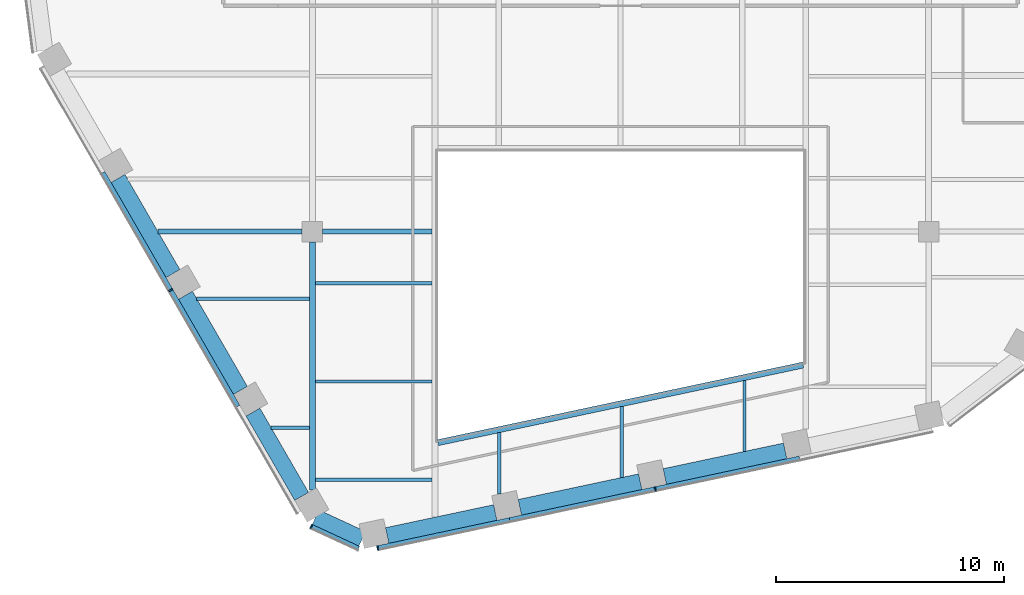
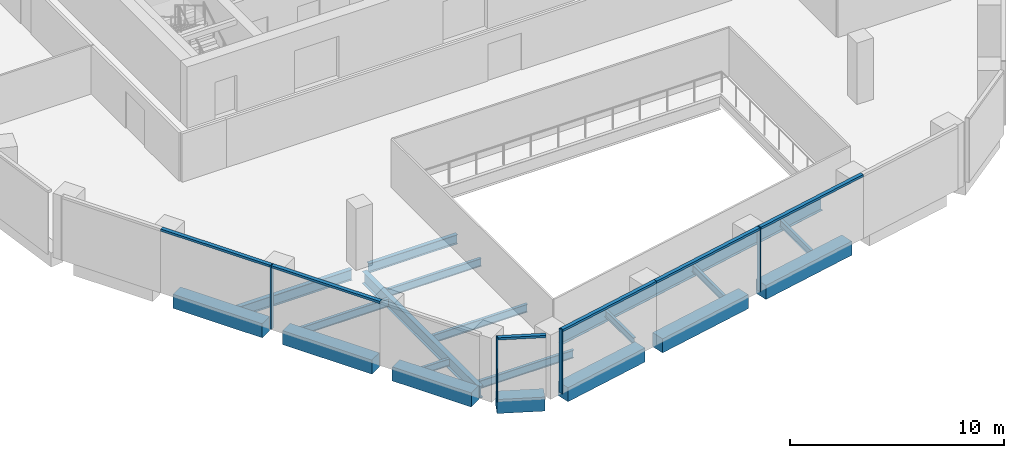
# One storey, part 2 of 15: 19 beams, 10 members, 3 elements without a shape of their own.
"""IFC4 building model written with IfcOpenShell, lengths in metres."""

from ifc_helpers import new_model, si_unit, direction, frame, origin, origin_2d, place, context, subcontext, project, spatial, rectangle, i_section, extrude, material, layer, layer_set, material_profile, profile_set, type_object, element, aggregate, save


model = new_model("IFC4")

# Units and contexts
model_context = context("Model", 3, precision=1e-05, world=origin(), true_north=direction((0.0, 1.0)))
body_context = subcontext(model_context, "Body", "Model", "MODEL_VIEW")
ifc_project = project(units=[si_unit("LENGTHUNIT", "METRE"), si_unit("AREAUNIT", "SQUARE_METRE"), si_unit("VOLUMEUNIT", "CUBIC_METRE"), si_unit("PLANEANGLEUNIT", "RADIAN"), si_unit("MASSUNIT", "GRAM", prefix="KILO")], contexts=[model_context])

# Site, building, storey
site_placement = place(None, origin())
site = spatial("IfcSite", under=ifc_project, at=site_placement, CompositionType="ELEMENT")
building_placement = place(site_placement, origin())
building = spatial("IfcBuilding", under=site, at=building_placement, Name="Isthmus Gate Tower", CompositionType="ELEMENT")
storey_placement = place(building_placement, frame((0.0, 0.0, 241.85009765625)))
storey = spatial("IfcBuildingStorey", under=building, at=storey_placement, Name="L61", CompositionType="ELEMENT", Elevation=241.85009765625)

# Curtain wall, member
ifc_material_1 = material(Name="Aluminium, pale champagne anodised", Category="aluminium")
ifc_layer = layer(ifc_material_1, 0.199951171875)
ifc_layer_set = layer_set([ifc_layer], Name="CW-1 UNITISED CURTAIN WALL 200 DEEP")
curtain_wall_type = type_object("IfcCurtainWallType", Name="CW-1 UNITISED CURTAIN WALL 200 DEEP", PredefinedType="NOTDEFINED", material=ifc_layer_set)
curtain_wall_1_placement = place(storey_placement, origin())
curtain_wall_1 = element("IfcCurtainWall", 1, at=curtain_wall_1_placement, inside=storey, type_object=curtain_wall_type, Name="CW-1 SW L61", PredefinedType="NOTDEFINED")
ifc_material_2 = material(Name="Aluminium, pale champagne anodised", Category="aluminium")
ifc_material_profile_1 = material_profile(ifc_material_2, rectangle(XDim=0.06005859375, YDim=0.199951171875, at=origin_2d()), Name="60x200")
ifc_profile_set_1 = profile_set([ifc_material_profile_1], Name="Aluminium, pale champagne anodised")
member_type_1 = type_object("IfcMemberType", Name="CW-1 MULLION 60 X 200", PredefinedType="MULLION", material=ifc_profile_set_1)
member_1_placement = place(storey_placement, frame((-19.707275390625, -16.066162109375, 0.0), z_axis=(0.0, 0.0, 1.0), x_axis=(0.5, -0.866025403784, 0.0)))
member_1 = element("IfcMember", 2, at=member_1_placement, type_object=member_type_1, Name="CW-1 mullion", PredefinedType="MULLION", context=body_context, shape_type="SweptSolid", body=[
    extrude(rectangle(XDim=0.06005859375, YDim=0.199951171875, at=origin_2d()), origin(), (0.0, 0.0, 1.0), 3.64990234375),
])

curtain_wall_2_placement = place(storey_placement, origin())
curtain_wall_2 = element("IfcCurtainWall", 3, at=curtain_wall_2_placement, inside=storey, type_object=curtain_wall_type, Name="CW-1 SW-S L61", PredefinedType="NOTDEFINED")
member_2_placement = place(storey_placement, frame((-13.54833984375, -26.419677734375, 0.0), z_axis=(0.0, 0.0, 1.0), x_axis=(0.907256261367, -0.420578264073, 0.0)))
member_2 = element("IfcMember", 4, at=member_2_placement, type_object=member_type_1, Name="CW-1 mullion", PredefinedType="MULLION", context=body_context, shape_type="SweptSolid", body=[
    extrude(rectangle(XDim=0.06005859375, YDim=0.199951171875, at=origin_2d()), origin(), (0.0, 0.0, 1.0), 3.64990234375),
])

# Curtain wall, members
curtain_wall_3_placement = place(storey_placement, origin())
curtain_wall_3 = element("IfcCurtainWall", 5, at=curtain_wall_3_placement, inside=storey, type_object=curtain_wall_type, Name="CW-1 S L61", PredefinedType="NOTDEFINED")
member_3_placement = place(storey_placement, frame((-10.6376953125, -27.36328125, 0.0), z_axis=(0.0, 0.0, 1.0), x_axis=(0.978147600734, 0.207911690818, 0.0)))
member_3 = element("IfcMember", 6, at=member_3_placement, type_object=member_type_1, Name="CW-1 mullion", PredefinedType="MULLION", context=body_context, shape_type="SweptSolid", body=[
    extrude(rectangle(XDim=0.06005859375, YDim=0.199951171875, at=origin_2d()), origin(), (0.0, 0.0, 1.0), 3.64990234375),
])
member_4_placement = place(storey_placement, frame((1.5244140625, -24.7783203125, 0.0), z_axis=(0.0, 0.0, 1.0), x_axis=(0.978147600734, 0.207911690818, 0.0)))
member_4 = element("IfcMember", 7, at=member_4_placement, type_object=member_type_1, Name="CW-1 mullion", PredefinedType="MULLION", context=body_context, shape_type="SweptSolid", body=[
    extrude(rectangle(XDim=0.06005859375, YDim=0.199951171875, at=origin_2d()), origin(), (0.0, 0.0, 1.0), 3.64990234375),
])

# Member
ifc_material_3 = material(Name="Aluminium, pale champagne anodised", Category="aluminium")
ifc_material_profile_2 = material_profile(ifc_material_3, rectangle(XDim=0.199951171875, YDim=0.1298828125, at=origin_2d()), Name="200x130")
ifc_profile_set_2 = profile_set([ifc_material_profile_2], Name="Aluminium, pale champagne anodised")
member_type_2 = type_object("IfcMemberType", Name="CW-1 TRANSOM 200 X 130", PredefinedType="USERDEFINED", material=ifc_profile_set_2)
member_5_placement = place(storey_placement, frame((-22.677490234375, -10.92138671875, 3.5849609375), z_axis=(0.500008496284, -0.866020498397, 0.0), x_axis=(0.866020498397, 0.500008496284, 0.0)))
member_5 = element("IfcMember", 8, at=member_5_placement, type_object=member_type_2, Name="CW-1 transom", ObjectType="TRANSOM", PredefinedType="USERDEFINED", context=body_context, shape_type="SweptSolid", body=[
    extrude(rectangle(XDim=0.199951171875, YDim=0.1298828125, at=origin_2d()), origin(), (0.0, 0.0, 1.0), 5.91064453125),
])

member_6_placement = place(storey_placement, frame((-19.692138671875, -16.092041015625, 3.5849609375), z_axis=(0.49998975084, -0.866031321059, 0.0), x_axis=(0.866031321059, 0.49998975084, 0.0)))
member_6 = element("IfcMember", 9, at=member_6_placement, type_object=member_type_2, Name="CW-1 transom", ObjectType="TRANSOM", PredefinedType="USERDEFINED", context=body_context, shape_type="SweptSolid", body=[
    extrude(rectangle(XDim=0.199951171875, YDim=0.1298828125, at=origin_2d()), origin(), (0.0, 0.0, 1.0), 5.8505859375),
])

aggregate(curtain_wall_1, [member_5, member_1, member_6])

member_7_placement = place(storey_placement, frame((-13.521240234375, -26.432373046875, 3.5849609375), z_axis=(0.907246225564, -0.420599912268, 0.0), x_axis=(0.420599912268, 0.907246225564, 0.0)))
member_7 = element("IfcMember", 10, at=member_7_placement, type_object=member_type_2, Name="CW-1 transom", ObjectType="TRANSOM", PredefinedType="USERDEFINED", context=body_context, shape_type="SweptSolid", body=[
    extrude(rectangle(XDim=0.199951171875, YDim=0.1298828125, at=origin_2d()), origin(), (0.0, 0.0, 1.0), 2.258544921875),
])

aggregate(curtain_wall_2, [member_2, member_7])

member_8_placement = place(storey_placement, frame((-10.6083984375, -27.357177734375, 3.5849609375), z_axis=(0.978148511799, 0.207907404549, 0.0), x_axis=(-0.207907404549, 0.978148511799, 0.0)))
member_8 = element("IfcMember", 11, at=member_8_placement, type_object=member_type_2, Name="CW-1 transom", ObjectType="TRANSOM", PredefinedType="USERDEFINED", context=body_context, shape_type="SweptSolid", body=[
    extrude(rectangle(XDim=0.199951171875, YDim=0.1298828125, at=origin_2d()), origin(), (0.0, 0.0, 1.0), 5.8818359375),
])

member_9_placement = place(storey_placement, frame((-4.85498046875, -26.13427734375, 3.5849609375), z_axis=(0.978142886198, 0.207933869729, 0.0), x_axis=(-0.207933869729, 0.978142886198, 0.0)))
member_9 = element("IfcMember", 12, at=member_9_placement, type_object=member_type_2, Name="CW-1 transom", ObjectType="TRANSOM", PredefinedType="USERDEFINED", context=body_context, shape_type="SweptSolid", body=[
    extrude(rectangle(XDim=0.199951171875, YDim=0.1298828125, at=origin_2d()), origin(), (0.0, 0.0, 1.0), 6.49169921875),
])

member_10_placement = place(storey_placement, frame((1.5537109375, -24.77197265625, 3.5849609375), z_axis=(0.978150457162, 0.207898251926, 0.0), x_axis=(-0.207898251926, 0.978150457162, 0.0)))
member_10 = element("IfcMember", 13, at=member_10_placement, type_object=member_type_2, Name="CW-1 transom", ObjectType="TRANSOM", PredefinedType="USERDEFINED", context=body_context, shape_type="SweptSolid", body=[
    extrude(rectangle(XDim=0.199951171875, YDim=0.1298828125, at=origin_2d()), origin(), (0.0, 0.0, 1.0), 6.431884765625),
])

aggregate(curtain_wall_3, [member_3, member_8, member_9, member_4, member_10])

# Beams
ifc_material_4 = material(Name="Concrete f'c 50 MPa", Category="concrete")
ifc_material_profile_3 = material_profile(ifc_material_4, rectangle(XDim=0.699951171875, YDim=0.800048828125, at=origin_2d()), Name="RC 700X800")
ifc_profile_set_3 = profile_set([ifc_material_profile_3], Name="Concrete f'c 50 MPa")
beam_type_1 = type_object("IfcBeamType", Name="RC SPANDREL 700 X 800", PredefinedType="SPANDREL", material=ifc_profile_set_3)
for number, where, z_axis, x_axis, name in (
    (14, (7.21337890625, -23.10888671875, -0.400146484375), (-0.978144348563, -0.207926990492, 0.0), (0.207926990492, -0.978144348563, 0.0), "str-spandrel-L61-12"),
    (15, (0.863525390625, -24.458740234375, -0.400146484375), (-0.978155513612, -0.207874460167, 0.0), (0.207874460167, -0.978155513612, 0.0), "str-spandrel-L61-13"),
):
    element("IfcBeam", number, at=place(storey_placement, frame(where, z_axis=z_axis, x_axis=x_axis)), inside=storey, type_object=beam_type_1, Name=name, PredefinedType="SPANDREL", context=body_context, shape_type="SweptSolid", body=[
        extrude(rectangle(XDim=0.699951171875, YDim=0.800048828125, at=origin_2d()), origin(), (0.0, 0.0, 1.0), 5.391845703125),
    ])
beam_1_placement = place(storey_placement, frame((-5.486572265625, -25.808349609375, -0.400146484375), z_axis=(-0.978141291228, -0.207941372495, 0.0), x_axis=(0.207941372495, -0.978141291228, 0.0)))
element("IfcBeam", 16, at=beam_1_placement, inside=storey, type_object=beam_type_1, Name="str-spandrel-L61-14", PredefinedType="SPANDREL", context=body_context, shape_type="SweptSolid", body=[
    extrude(rectangle(XDim=0.699951171875, YDim=0.800048828125, at=origin_2d()), origin(), (0.0, 0.0, 1.0), 4.842041015625),
])
beam_2_placement = place(storey_placement, frame((-11.31689453125, -26.958251953125, -0.400146484375), z_axis=(-0.907254968276, 0.42058105347, 0.0), x_axis=(-0.42058105347, -0.907254968276, 0.0)))
element("IfcBeam", 17, at=beam_2_placement, inside=storey, type_object=beam_type_1, Name="str-spandrel-L61-15", PredefinedType="SPANDREL", context=body_context, shape_type="SweptSolid", body=[
    extrude(rectangle(XDim=0.699951171875, YDim=0.800048828125, at=origin_2d()), origin(), (0.0, 0.0, 1.0), 2.245849609375),
])
beam_3_placement = place(storey_placement, frame((-13.971923828125, -25.10009765625, -0.400146484375), z_axis=(-0.499996907167, 0.866027189425, 0.0), x_axis=(-0.866027189425, -0.499996907167, 0.0)))
element("IfcBeam", 18, at=beam_3_placement, inside=storey, type_object=beam_type_1, Name="str-spandrel-L61-16", PredefinedType="SPANDREL", context=body_context, shape_type="SweptSolid", body=[
    extrude(rectangle(XDim=0.699951171875, YDim=0.800048828125, at=origin_2d()), origin(), (0.0, 0.0, 1.0), 4.2607421875),
])
for number, where, z_axis, x_axis, name in (
    (19, (-16.652099609375, -20.45751953125, -0.400146484375), (-0.500003616288, 0.866023315909, 0.0), (-0.866023315909, -0.500003616288, 0.0), "str-spandrel-L61-17"),
    (20, (-19.607421875, -15.3388671875, -0.400146484375), (-0.500003616288, 0.866023315909, 0.0), (-0.866023315909, -0.500003616288, 0.0), "str-spandrel-L61-18"),
):
    element("IfcBeam", number, at=place(storey_placement, frame(where, z_axis=z_axis, x_axis=x_axis)), inside=storey, type_object=beam_type_1, Name=name, PredefinedType="SPANDREL", context=body_context, shape_type="SweptSolid", body=[
        extrude(rectangle(XDim=0.699951171875, YDim=0.800048828125, at=origin_2d()), origin(), (0.0, 0.0, 1.0), 4.810546875),
    ])
ifc_material_5 = material(Name="Structural steel ASTM A992 Gr 50", Category="steel")
ifc_material_profile_4 = material_profile(ifc_material_5, i_section(OverallWidth=0.1396484375, OverallDepth=0.4033203125, WebThickness=0.00634765625, FlangeThickness=0.010986328125, at=origin_2d()), Name="W16X31")
ifc_profile_set_4 = profile_set([ifc_material_profile_4], Name="Structural steel ASTM A992 Gr 50")
beam_type_2 = type_object("IfcBeamType", Name="STEEL FLOOR BEAM W16X31", PredefinedType="JOIST", material=ifc_profile_set_4)
beam_4_placement = place(storey_placement, frame((-15.30126953125, -22.097412109375, -0.351806640625), z_axis=(1.0, 0.0, 0.0), x_axis=(0.0, 1.0, 0.0)))
element("IfcBeam", 21, at=beam_4_placement, inside=storey, type_object=beam_type_2, Name="str-beam-L61-02-00", PredefinedType="JOIST", context=body_context, shape_type="SweptSolid", body=[
    extrude(i_section(OverallWidth=0.1396484375, OverallDepth=0.4033203125, WebThickness=0.00634765625, FlangeThickness=0.010986328125, at=origin_2d()), origin(), (0.0, 0.0, 1.0), 1.67431640625),
])
beam_5_placement = place(storey_placement, frame((-5.314208984375, -25.005126953125, -0.351806640625), z_axis=(0.0, 1.0, 0.0), x_axis=(-1.0, 0.0, 0.0)))
element("IfcBeam", 22, at=beam_5_placement, inside=storey, type_object=beam_type_2, Name="str-beam-L61-06-00", PredefinedType="JOIST", context=body_context, shape_type="SweptSolid", body=[
    extrude(i_section(OverallWidth=0.1396484375, OverallDepth=0.4033203125, WebThickness=0.00634765625, FlangeThickness=0.010986328125, at=origin_2d()), origin(), (0.0, 0.0, 1.0), 2.692138671875),
])
for number, where, z_axis, x_axis, name in (
    (23, (0.05712890625, -24.272216796875, -0.351806640625), (0.0, 1.0, 0.0), (-1.0, 0.0, 0.0), "str-beam-L61-06-01"),
    (24, (5.428466796875, -23.13037109375, -0.351806640625), (0.0, 1.0, 0.0), (-1.0, 0.0, 0.0), "str-beam-L61-06-02"),
):
    element("IfcBeam", number, at=place(storey_placement, frame(where, z_axis=z_axis, x_axis=x_axis)), inside=storey, type_object=beam_type_2, Name=name, PredefinedType="JOIST", context=body_context, shape_type="SweptSolid", body=[
        extrude(i_section(OverallWidth=0.1396484375, OverallDepth=0.4033203125, WebThickness=0.00634765625, FlangeThickness=0.010986328125, at=origin_2d()), origin(), (0.0, 0.0, 1.0), 3.10107421875),
    ])
ifc_material_6 = material(Name="Structural steel ASTM A992 Gr 50", Category="steel")
ifc_material_profile_5 = material_profile(ifc_material_6, i_section(OverallWidth=0.15234375, OverallDepth=0.45068359375, WebThickness=0.0078125, FlangeThickness=0.010986328125, at=origin_2d()), Name="W18X35")
ifc_profile_set_5 = profile_set([ifc_material_profile_5], Name="Structural steel ASTM A992 Gr 50")
beam_type_3 = type_object("IfcBeamType", Name="STEEL FLOOR BEAM W18X35", PredefinedType="JOIST", material=ifc_profile_set_5)
beam_6_placement = place(storey_placement, frame((-18.56640625, -16.44189453125, -0.37548828125), z_axis=(1.0, 0.0, 0.0), x_axis=(0.0, 1.0, 0.0)))
element("IfcBeam", 25, at=beam_6_placement, inside=storey, type_object=beam_type_3, Name="str-beam-L61-02-01", PredefinedType="JOIST", context=body_context, shape_type="SweptSolid", body=[
    extrude(i_section(OverallWidth=0.15234375, OverallDepth=0.45068359375, WebThickness=0.0078125, FlangeThickness=0.010986328125, at=origin_2d()), origin(), (0.0, 0.0, 1.0), 4.939453125),
])
for number, where, z_axis, x_axis, name in (
    (26, (-13.373046875, -24.3759765625, -0.37548828125), (1.0, 0.0, 0.0), (0.0, 1.0, 0.0), "str-beam-L61-04-00"),
    (27, (-13.373046875, -20.0673828125, -0.37548828125), (1.0, 0.0, 0.0), (0.0, 1.0, 0.0), "str-beam-L61-04-01"),
    (28, (-13.373046875, -15.759033203125, -0.37548828125), (1.0, 0.0, 0.0), (0.0, 1.0, 0.0), "str-beam-L61-04-02"),
):
    element("IfcBeam", number, at=place(storey_placement, frame(where, z_axis=z_axis, x_axis=x_axis)), inside=storey, type_object=beam_type_3, Name=name, PredefinedType="JOIST", context=body_context, shape_type="SweptSolid", body=[
        extrude(i_section(OverallWidth=0.15234375, OverallDepth=0.45068359375, WebThickness=0.0078125, FlangeThickness=0.010986328125, at=origin_2d()), origin(), (0.0, 0.0, 1.0), 5.109619140625),
    ])
ifc_material_7 = material(Name="Structural steel ASTM A992 Gr 50", Category="steel")
ifc_material_profile_6 = material_profile(ifc_material_7, i_section(OverallWidth=0.20947265625, OverallDepth=0.533447265625, WebThickness=0.009521484375, FlangeThickness=0.015869140625, at=origin_2d()), Name="W21X62")
ifc_profile_set_6 = profile_set([ifc_material_profile_6], Name="Structural steel ASTM A992 Gr 50")
beam_type_4 = type_object("IfcBeamType", Name="STEEL GIRDER W21X62", PredefinedType="BEAM", material=ifc_profile_set_6)
beam_7_placement = place(storey_placement, frame((-13.050048828125, -13.5, -0.416748046875), z_axis=(1.0, 0.0, 0.0), x_axis=(0.0, 1.0, 0.0)))
element("IfcBeam", 29, at=beam_7_placement, inside=storey, type_object=beam_type_4, Name="str-girder-L61-02", PredefinedType="BEAM", context=body_context, shape_type="SweptSolid", body=[
    extrude(i_section(OverallWidth=0.20947265625, OverallDepth=0.533447265625, WebThickness=0.009521484375, FlangeThickness=0.015869140625, at=origin_2d()), origin(), (0.0, 0.0, 1.0), 4.78662109375),
])
ifc_material_8 = material(Name="Structural steel ASTM A992 Gr 50", Category="steel")
ifc_material_profile_7 = material_profile(ifc_material_8, i_section(OverallWidth=0.228515625, OverallDepth=0.603271484375, WebThickness=0.010986328125, FlangeThickness=0.014404296875, at=origin_2d()), Name="W24X68")
ifc_profile_set_7 = profile_set([ifc_material_profile_7], Name="Structural steel ASTM A992 Gr 50")
beam_type_5 = type_object("IfcBeamType", Name="STEEL GIRDER W24X68", PredefinedType="BEAM", material=ifc_profile_set_7)
beam_8_placement = place(storey_placement, frame((-20.264892578125, -13.5, -0.45166015625), z_axis=(1.0, 0.0, 0.0), x_axis=(0.0, 1.0, 0.0)))
element("IfcBeam", 30, at=beam_8_placement, inside=storey, type_object=beam_type_5, Name="str-girder-L61-01", PredefinedType="BEAM", context=body_context, shape_type="SweptSolid", body=[
    extrude(i_section(OverallWidth=0.228515625, OverallDepth=0.603271484375, WebThickness=0.010986328125, FlangeThickness=0.014404296875, at=origin_2d()), origin(), (0.0, 0.0, 1.0), 6.31494140625),
])
ifc_material_9 = material(Name="Structural steel ASTM A992 Gr 50", Category="steel")
ifc_material_profile_8 = material_profile(ifc_material_9, i_section(OverallWidth=0.25390625, OverallDepth=0.679443359375, WebThickness=0.010986328125, FlangeThickness=0.015869140625, at=origin_2d()), Name="W27X84")
ifc_profile_set_8 = profile_set([ifc_material_profile_8], Name="Structural steel ASTM A992 Gr 50")
beam_type_6 = type_object("IfcBeamType", Name="STEEL GIRDER W27X84", PredefinedType="BEAM", material=ifc_profile_set_8)
beam_9_placement = place(storey_placement, frame((-13.5, -24.82763671875, -0.48974609375), z_axis=(0.0, 1.0, 0.0), x_axis=(-1.0, 0.0, 0.0)))
element("IfcBeam", 31, at=beam_9_placement, inside=storey, type_object=beam_type_6, Name="str-girder-L61-05", PredefinedType="BEAM", context=body_context, shape_type="SweptSolid", body=[
    extrude(i_section(OverallWidth=0.25390625, OverallDepth=0.679443359375, WebThickness=0.010986328125, FlangeThickness=0.015869140625, at=origin_2d()), origin(), (0.0, 0.0, 1.0), 10.877685546875),
])
ifc_material_10 = material(Name="Structural steel ASTM A992 Gr 50", Category="steel")
ifc_material_profile_9 = material_profile(ifc_material_10, i_section(OverallWidth=0.2666015625, OverallDepth=0.7587890625, WebThickness=0.014404296875, FlangeThickness=0.01904296875, at=origin_2d()), Name="W30X108")
ifc_profile_set_9 = profile_set([ifc_material_profile_9], Name="Structural steel ASTM A992 Gr 50")
beam_type_7 = type_object("IfcBeamType", Name="STEEL TRIMMER W30X108", PredefinedType="BEAM", material=ifc_profile_set_9)
beam_10_placement = place(storey_placement, frame((-8.0, -22.747314453125, -0.529541015625), z_axis=(0.978147924985, 0.20791016533, 0.0), x_axis=(-0.20791016533, 0.978147924985, 0.0)))
element("IfcBeam", 32, at=beam_10_placement, inside=storey, type_object=beam_type_7, Name="str-trimmer-L61-03", PredefinedType="BEAM", context=body_context, shape_type="SweptSolid", body=[
    extrude(i_section(OverallWidth=0.2666015625, OverallDepth=0.7587890625, WebThickness=0.014404296875, FlangeThickness=0.01904296875, at=origin_2d()), origin(), (0.0, 0.0, 1.0), 16.357421875),
])

save(model, "model.ifc")
